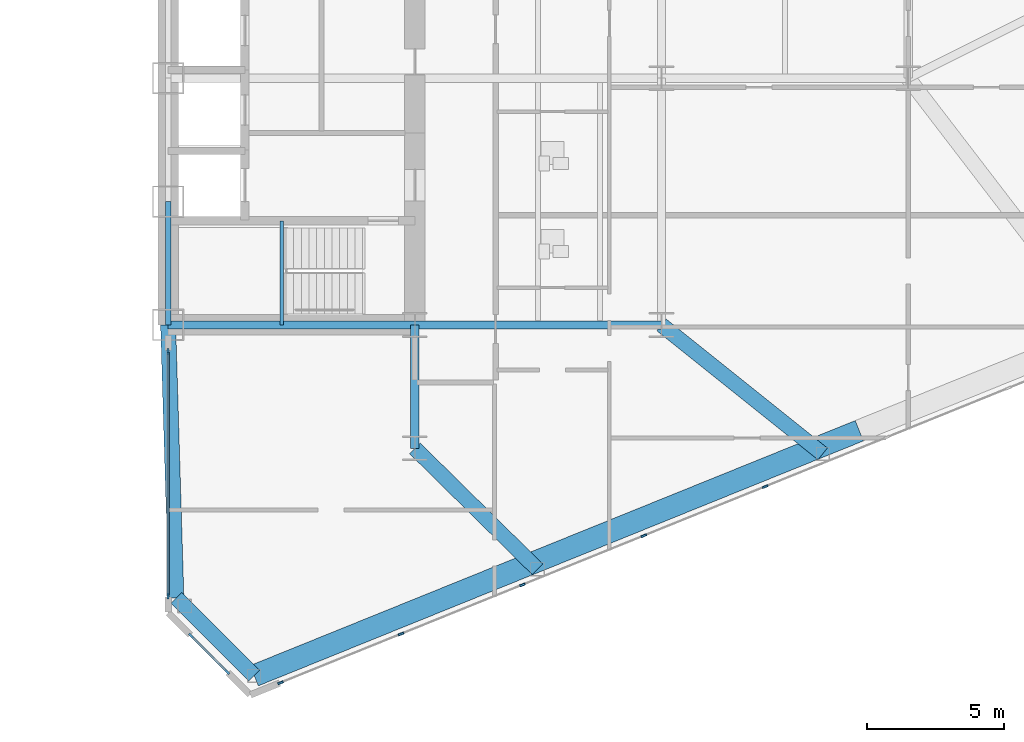
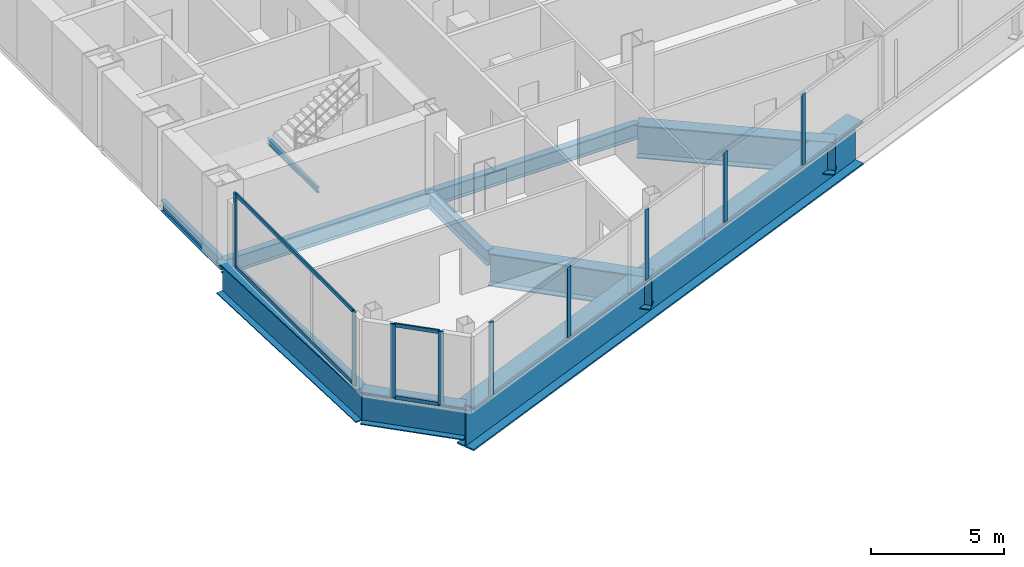
# One storey, part 10 of 26: 13 members, 10 beams, 3 elements without a shape of their own.
"""IFC4 building model written with IfcOpenShell, lengths in metres."""

from ifc_helpers import new_model, si_unit, direction, frame, origin, origin_2d, place, context, subcontext, project, spatial, rectangle, i_section, extrude, source, transform, mapped, material, layer, layer_set, material_profile, profile_set, type_object, type_shapes, element, aggregate, save


model = new_model("IFC4")

# Units and contexts
model_context = context("Model", 3, precision=1e-05, world=origin(), true_north=direction((0.0, 1.0)))
body_context = subcontext(model_context, "Body", "Model", "MODEL_VIEW")
ifc_project = project(units=[si_unit("LENGTHUNIT", "METRE"), si_unit("AREAUNIT", "SQUARE_METRE"), si_unit("VOLUMEUNIT", "CUBIC_METRE"), si_unit("PLANEANGLEUNIT", "RADIAN"), si_unit("MASSUNIT", "GRAM", prefix="KILO")], contexts=[model_context])

# Site, building, storey
site_placement = place(None, origin())
site = spatial("IfcSite", under=ifc_project, at=site_placement, CompositionType="ELEMENT")
building_placement = place(site_placement, origin())
building = spatial("IfcBuilding", under=site, at=building_placement, Name="Seokmaru Belvedere", CompositionType="ELEMENT")
storey_placement = place(building_placement, frame((0.0, 0.0, 18.89990234375)))
storey = spatial("IfcBuildingStorey", under=building, at=storey_placement, Name="L04", CompositionType="ELEMENT", Elevation=18.89990234375)

# Beams
ifc_material_1 = material(Name="Steel SM355 (355 MPa)", Category="steel")
ifc_material_profile_1 = material_profile(ifc_material_1, i_section(OverallWidth=0.199951171875, OverallDepth=0.5, WebThickness=0.010009765625, FlangeThickness=0.01611328125, at=origin_2d()), Name="H-500x200x10x16")
ifc_profile_set_1 = profile_set([ifc_material_profile_1], Name="Steel SM355 (355 MPa)")
beam_type_1 = type_object("IfcBeamType", Name="Perimeter Spandrel Beam H-500", PredefinedType="SPANDREL", material=ifc_profile_set_1)
shared_shape_1 = source(origin(), body_context, "Body", "SweptSolid", [
    extrude(i_section(OverallWidth=0.199951171875, OverallDepth=0.5, WebThickness=0.010009765625, FlangeThickness=0.01611328125, at=origin_2d()), origin(), (0.0, 0.0, 1.0), 4.5),
])
type_shapes(beam_type_1, [shared_shape_1])
beam_1_placement = place(storey_placement, frame((27.5, -13.5, -0.469970703125), z_axis=(0.0, 1.0, 0.0), x_axis=(-1.0, 0.0, 0.0)))
element("IfcBeam", 1, at=beam_1_placement, inside=storey, type_object=beam_type_1, Name="L04 E Portal Spine Spandrel 1", PredefinedType="SPANDREL", context=body_context, shape_type="MappedRepresentation", body=[
    mapped(shared_shape_1, transform((0.0, 0.0, 0.0), scale=1.0)),
])
ifc_material_profile_2 = material_profile(ifc_material_1, i_section(OverallWidth=0.300048828125, OverallDepth=0.699951171875, WebThickness=0.012939453125, FlangeThickness=0.02392578125, at=origin_2d()), Name="H-700x300x13x24")
ifc_profile_set_2 = profile_set([ifc_material_profile_2], Name="Steel SM355 (355 MPa)")
beam_type_2 = type_object("IfcBeamType", Name="Primary Floor Girder H-700", PredefinedType="BEAM", material=ifc_profile_set_2)
shared_shape_2 = source(origin(), body_context, "Body", "SweptSolid", [
    extrude(i_section(OverallWidth=0.300048828125, OverallDepth=0.699951171875, WebThickness=0.012939453125, FlangeThickness=0.02392578125, at=origin_2d()), origin(), (0.0, 0.0, 1.0), 4.5),
])
beam_2_placement = place(storey_placement, frame((36.5, -18.0, -0.56982421875), z_axis=(0.0, 1.0, 0.0), x_axis=(-1.0, 0.0, 0.0)))
element("IfcBeam", 2, at=beam_2_placement, inside=storey, type_object=beam_type_2, Name="L04 E Core Shoulder Girder S", PredefinedType="BEAM", context=body_context, shape_type="MappedRepresentation", body=[
    mapped(shared_shape_2, transform((0.0, 0.0, 0.0), scale=1.0)),
])
shared_shape_3 = source(origin(), body_context, "Body", "SweptSolid", [
    extrude(i_section(OverallWidth=0.300048828125, OverallDepth=0.699951171875, WebThickness=0.012939453125, FlangeThickness=0.02392578125, at=origin_2d()), origin(), (0.0, 0.0, 1.0), 9.0),
])
type_shapes(beam_type_2, [shared_shape_2, shared_shape_3])
for number, where, z_axis, x_axis, name in (
    (3, (27.5, -13.5, -0.56982421875), (1.0, 0.0, 0.0), (0.0, 1.0, 0.0), "L04 E Core Tie Girder 1"),
    (4, (36.5, -13.5, -0.56982421875), (1.0, 0.0, 0.0), (0.0, 1.0, 0.0), "L04 E Wing Primary Girder 1"),
):
    element("IfcBeam", number, at=place(storey_placement, frame(where, z_axis=z_axis, x_axis=x_axis)), inside=storey, type_object=beam_type_2, Name=name, PredefinedType="BEAM", context=body_context, shape_type="MappedRepresentation", body=[
        mapped(shared_shape_3, transform((0.0, 0.0, 0.0), scale=1.0)),
    ])
ifc_material_2 = material(Name="Steel HSA650 (650 MPa)", Category="steel")
ifc_material_profile_3 = material_profile(ifc_material_2, i_section(OverallWidth=0.800048828125, OverallDepth=2.0, WebThickness=0.0400390625, FlangeThickness=0.070068359375, at=origin_2d()), Name="BH-2000x800x40x70")
ifc_profile_set_3 = profile_set([ifc_material_profile_3], Name="Steel HSA650 (650 MPa)")
beam_type_3 = type_object("IfcBeamType", Name="Sky-Gate Transfer Truss Chord Girder BH-2000", PredefinedType="BEAM", material=ifc_profile_set_3)
shared_shape_4 = source(origin(), body_context, "Body", "SweptSolid", [
    extrude(i_section(OverallWidth=0.800048828125, OverallDepth=2.0, WebThickness=0.0400390625, FlangeThickness=0.070068359375, at=origin_2d()), origin(), (0.0, 0.0, 1.0), 23.811767578125),
])
type_shapes(beam_type_3, [shared_shape_4])
beam_3_placement = place(storey_placement, frame((30.643310546875, -26.294677734375, -1.219970703125), z_axis=(0.92694579442, 0.375195274766, 0.0), x_axis=(-0.375195274766, 0.92694579442, 0.0)))
element("IfcBeam", 5, at=beam_3_placement, inside=storey, type_object=beam_type_3, Name="L04 E Podium Flank Transfer Girder S-A", PredefinedType="BEAM", context=body_context, shape_type="MappedRepresentation", body=[
    mapped(shared_shape_4, transform((0.0, 0.0, 0.0), scale=1.0)),
])
ifc_material_profile_4 = material_profile(ifc_material_2, i_section(OverallWidth=0.550048828125, OverallDepth=1.5, WebThickness=0.028076171875, FlangeThickness=0.044921875, at=origin_2d()), Name="BH-1500x550x28x45")
ifc_profile_set_4 = profile_set([ifc_material_profile_4], Name="Steel HSA650 (650 MPa)")
beam_type_4 = type_object("IfcBeamType", Name="Setback Transfer Girder BH-1500", PredefinedType="BEAM", material=ifc_profile_set_4)
shared_shape_5 = source(origin(), body_context, "Body", "SweptSolid", [
    extrude(i_section(OverallWidth=0.550048828125, OverallDepth=1.5, WebThickness=0.028076171875, FlangeThickness=0.044921875, at=origin_2d()), origin(), (0.0, 0.0, 1.0), 4.02099609375),
])
beam_4_placement = place(storey_placement, frame((30.643310546875, -26.294677734375, -0.969970703125), z_axis=(-0.707106781187, 0.707106781187, 0.0), x_axis=(-0.707106781187, -0.707106781187, 0.0)))
element("IfcBeam", 6, at=beam_4_placement, inside=storey, type_object=beam_type_4, Name="L04 E Podium Shoulder Transfer Girder S", PredefinedType="BEAM", context=body_context, shape_type="MappedRepresentation", body=[
    mapped(shared_shape_5, transform((0.0, 0.0, 0.0), scale=1.0)),
])
shared_shape_6 = source(origin(), body_context, "Body", "SweptSolid", [
    extrude(i_section(OverallWidth=0.550048828125, OverallDepth=1.5, WebThickness=0.028076171875, FlangeThickness=0.044921875, at=origin_2d()), origin(), (0.0, 0.0, 1.0), 9.9560546875),
])
beam_5_placement = place(storey_placement, frame((27.800048828125, -23.451416015625, -0.969970703125), z_axis=(-0.030137674137, 0.999545757131, 0.0), x_axis=(-0.999545757131, -0.030137674137, 0.0)))
element("IfcBeam", 7, at=beam_5_placement, inside=storey, type_object=beam_type_4, Name="L04 E Podium Spine Transfer Tie S", PredefinedType="BEAM", context=body_context, shape_type="MappedRepresentation", body=[
    mapped(shared_shape_6, transform((0.0, 0.0, 0.0), scale=1.0)),
])
shared_shape_7 = source(origin(), body_context, "Body", "SweptSolid", [
    extrude(i_section(OverallWidth=0.550048828125, OverallDepth=1.5, WebThickness=0.028076171875, FlangeThickness=0.044921875, at=origin_2d()), origin(), (0.0, 0.0, 1.0), 6.287353515625),
])
beam_6_placement = place(storey_placement, frame((40.977294921875, -22.4140625, -0.969970703125), z_axis=(-0.712117485263, 0.702060315915, 0.0), x_axis=(-0.702060315915, -0.712117485263, 0.0)))
element("IfcBeam", 8, at=beam_6_placement, inside=storey, type_object=beam_type_4, Name="L04 E Flank Radial Floor Girder S-1", PredefinedType="BEAM", context=body_context, shape_type="MappedRepresentation", body=[
    mapped(shared_shape_7, transform((0.0, 0.0, 0.0), scale=1.0)),
])
shared_shape_8 = source(origin(), body_context, "Body", "SweptSolid", [
    extrude(i_section(OverallWidth=0.550048828125, OverallDepth=1.5, WebThickness=0.028076171875, FlangeThickness=0.044921875, at=origin_2d()), origin(), (0.0, 0.0, 1.0), 7.52880859375),
])
type_shapes(beam_type_4, [shared_shape_5, shared_shape_6, shared_shape_7, shared_shape_8])
beam_7_placement = place(storey_placement, frame((51.378173828125, -18.2041015625, -0.969970703125), z_axis=(-0.780767560736, 0.624821587418, 0.0), x_axis=(-0.624821587418, -0.780767560736, 0.0)))
element("IfcBeam", 9, at=beam_7_placement, inside=storey, type_object=beam_type_4, Name="L04 E Flank Radial Floor Girder S-2", PredefinedType="BEAM", context=body_context, shape_type="MappedRepresentation", body=[
    mapped(shared_shape_8, transform((0.0, 0.0, 0.0), scale=1.0)),
])

# Curtain wall, member
ifc_material_3 = material(Name="Bronze Triple Insulating Glass", Category="glass")
ifc_layer = layer(ifc_material_3, 0.2099609375)
ifc_layer_set = layer_set([ifc_layer], Name="Bronze Triple Insulating Glass")
curtain_wall_type = type_object("IfcCurtainWallType", Name="Low-Rise Faceted Crystal Curtain Wall System CW-2", PredefinedType="NOTDEFINED", material=ifc_layer_set)
curtain_wall_1_placement = place(storey_placement, origin())
curtain_wall_1 = element("IfcCurtainWall", 10, at=curtain_wall_1_placement, inside=storey, type_object=curtain_wall_type, Name="L04 Curtain Wall EF1", PredefinedType="NOTDEFINED")
ifc_material_4 = material(Name="Anodised Bronze Aluminium", Category="aluminium")
ifc_material_profile_5 = material_profile(ifc_material_4, rectangle(XDim=0.074951171875, YDim=0.2099609375, at=origin_2d()), Name="CW-M-75x210")
ifc_profile_set_5 = profile_set([ifc_material_profile_5], Name="Anodised Bronze Aluminium")
member_type_1 = type_object("IfcMemberType", Name="Bronze Unitised Mullion 75x210", PredefinedType="MULLION", material=ifc_profile_set_5)
shared_shape_9 = source(origin(), body_context, "Body", "SweptSolid", [
    extrude(rectangle(XDim=0.074951171875, YDim=0.2099609375, at=origin_2d()), origin(), (0.0, 0.0, 1.0), 3.380126953125),
])
member_1_placement = place(storey_placement, frame((31.600830078125, -26.554443359375, 0.0), z_axis=(0.0, 0.0, 1.0), x_axis=(-0.375192321888, 0.926946989637, 0.0)))
member_1 = element("IfcMember", 11, at=member_1_placement, type_object=member_type_1, Name="CW:L04:EF1 Mullion 1", PredefinedType="MULLION", context=body_context, shape_type="MappedRepresentation", body=[
    mapped(shared_shape_9, transform((0.0, 0.0, 0.0), scale=1.0)),
])

# Curtain wall, members
curtain_wall_2_placement = place(storey_placement, origin())
curtain_wall_2 = element("IfcCurtainWall", 12, at=curtain_wall_2_placement, inside=storey, type_object=curtain_wall_type, Name="L04 Curtain Wall ESP_1", PredefinedType="NOTDEFINED")
member_2_placement = place(storey_placement, frame((27.5, -14.467529296875, 0.0), z_axis=(0.0, 0.0, 1.0), x_axis=(1.0, 0.0, 0.0)))
member_2 = element("IfcMember", 13, at=member_2_placement, type_object=member_type_1, Name="CW:L04:ESP_1 Mullion 1", PredefinedType="MULLION", context=body_context, shape_type="MappedRepresentation", body=[
    mapped(shared_shape_9, transform((0.0, 0.0, 0.0), scale=1.0)),
])
member_3_placement = place(storey_placement, frame((27.5, -23.392578125, 0.0), z_axis=(0.0, 0.0, 1.0), x_axis=(1.0, 0.0, 0.0)))
member_3 = element("IfcMember", 14, at=member_3_placement, type_object=member_type_1, Name="CW:L04:ESP_1 Mullion 2", PredefinedType="MULLION", context=body_context, shape_type="MappedRepresentation", body=[
    mapped(shared_shape_9, transform((0.0, 0.0, 0.0), scale=1.0)),
])

curtain_wall_3_placement = place(storey_placement, origin())
curtain_wall_3 = element("IfcCurtainWall", 15, at=curtain_wall_3_placement, inside=storey, type_object=curtain_wall_type, Name="L04 Curtain Wall EF6", PredefinedType="NOTDEFINED")
member_4_placement = place(storey_placement, frame((28.339599609375, -24.839599609375, 0.0), z_axis=(0.0, 0.0, 1.0), x_axis=(0.707106781187, 0.707106781187, 0.0)))
member_4 = element("IfcMember", 16, at=member_4_placement, type_object=member_type_1, Name="CW:L04:EF6 Mullion 1", PredefinedType="MULLION", context=body_context, shape_type="MappedRepresentation", body=[
    mapped(shared_shape_9, transform((0.0, 0.0, 0.0), scale=1.0)),
])
member_5_placement = place(storey_placement, frame((29.660400390625, -26.160400390625, 0.0), z_axis=(0.0, 0.0, 1.0), x_axis=(0.707106781187, 0.707106781187, 0.0)))
member_5 = element("IfcMember", 17, at=member_5_placement, type_object=member_type_1, Name="CW:L04:EF6 Mullion 2", PredefinedType="MULLION", context=body_context, shape_type="MappedRepresentation", body=[
    mapped(shared_shape_9, transform((0.0, 0.0, 0.0), scale=1.0)),
])

# Member
ifc_material_profile_6 = material_profile(ifc_material_4, rectangle(XDim=0.070068359375, YDim=0.1650390625, at=origin_2d()), Name="CW-T-70x165")
ifc_profile_set_6 = profile_set([ifc_material_profile_6], Name="Anodised Bronze Aluminium")
member_type_2 = type_object("IfcMemberType", Name="Bronze Unitised Transom 70x165", PredefinedType="USERDEFINED", material=ifc_profile_set_6)
shared_shape_10 = source(origin(), body_context, "Body", "SweptSolid", [
    extrude(rectangle(XDim=0.070068359375, YDim=0.1650390625, at=origin_2d()), origin(), (0.0, 0.0, 1.0), 8.85009765625),
])
member_6_placement = place(storey_placement, frame((27.5, -14.5048828125, 0.03515625), z_axis=(0.0, -1.0, 0.0), x_axis=(1.0, 0.0, 0.0)))
member_6 = element("IfcMember", 18, at=member_6_placement, type_object=member_type_2, Name="CW:L04:ESP_1 Continuous Transom 1", ObjectType="TRANSOM", PredefinedType="USERDEFINED", context=body_context, shape_type="MappedRepresentation", body=[
    mapped(shared_shape_10, transform((0.0, 0.0, 0.0), scale=1.0)),
])

member_7_placement = place(storey_placement, frame((27.5, -14.5048828125, 3.34521484375), z_axis=(0.0, -1.0, 0.0), x_axis=(1.0, 0.0, 0.0)))
member_7 = element("IfcMember", 19, at=member_7_placement, type_object=member_type_2, Name="CW:L04:ESP_1 Continuous Transom 2", ObjectType="TRANSOM", PredefinedType="USERDEFINED", context=body_context, shape_type="MappedRepresentation", body=[
    mapped(shared_shape_10, transform((0.0, 0.0, 0.0), scale=1.0)),
])

aggregate(curtain_wall_2, [member_2, member_3, member_6, member_7])

shared_shape_11 = source(origin(), body_context, "Body", "SweptSolid", [
    extrude(rectangle(XDim=0.070068359375, YDim=0.1650390625, at=origin_2d()), origin(), (0.0, 0.0, 1.0), 1.792724609375),
])
type_shapes(member_type_2, [shared_shape_10, shared_shape_11])
member_8_placement = place(storey_placement, frame((28.3662109375, -24.8662109375, 0.03515625), z_axis=(0.707106781187, -0.707106781187, 0.0), x_axis=(0.707106781187, 0.707106781187, 0.0)))
member_8 = element("IfcMember", 20, at=member_8_placement, type_object=member_type_2, Name="CW:L04:EF6 Continuous Transom 1", ObjectType="TRANSOM", PredefinedType="USERDEFINED", context=body_context, shape_type="MappedRepresentation", body=[
    mapped(shared_shape_11, transform((0.0, 0.0, 0.0), scale=1.0)),
])

member_9_placement = place(storey_placement, frame((28.3662109375, -24.8662109375, 3.34521484375), z_axis=(0.707106781187, -0.707106781187, 0.0), x_axis=(0.707106781187, 0.707106781187, 0.0)))
member_9 = element("IfcMember", 21, at=member_9_placement, type_object=member_type_2, Name="CW:L04:EF6 Continuous Transom 2", ObjectType="TRANSOM", PredefinedType="USERDEFINED", context=body_context, shape_type="MappedRepresentation", body=[
    mapped(shared_shape_11, transform((0.0, 0.0, 0.0), scale=1.0)),
])

aggregate(curtain_wall_3, [member_4, member_5, member_8, member_9])

shared_shape_12 = source(origin(), body_context, "Body", "SweptSolid", [
    extrude(rectangle(XDim=0.074951171875, YDim=0.2099609375, at=origin_2d()), origin(), (0.0, 0.0, 1.0), 3.239990234375),
])
type_shapes(member_type_1, [shared_shape_9, shared_shape_12])
member_10_placement = place(storey_placement, frame((35.995849609375, -24.775390625, 0.070068359375), z_axis=(0.0, 0.0, 1.0), x_axis=(-0.375192321888, 0.926946989637, 0.0)))
member_10 = element("IfcMember", 22, at=member_10_placement, type_object=member_type_1, Name="CW:L04:EF1 Mullion 2", PredefinedType="MULLION", context=body_context, shape_type="MappedRepresentation", body=[
    mapped(shared_shape_12, transform((0.0, 0.0, 0.0), scale=1.0)),
])

member_11_placement = place(storey_placement, frame((40.425537109375, -22.982421875, 0.070068359375), z_axis=(0.0, 0.0, 1.0), x_axis=(-0.375192321888, 0.926946989637, 0.0)))
member_11 = element("IfcMember", 23, at=member_11_placement, type_object=member_type_1, Name="CW:L04:EF1 Mullion 3", PredefinedType="MULLION", context=body_context, shape_type="MappedRepresentation", body=[
    mapped(shared_shape_12, transform((0.0, 0.0, 0.0), scale=1.0)),
])

member_12_placement = place(storey_placement, frame((44.855224609375, -21.189453125, 0.070068359375), z_axis=(0.0, 0.0, 1.0), x_axis=(-0.375192321888, 0.926946989637, 0.0)))
member_12 = element("IfcMember", 24, at=member_12_placement, type_object=member_type_1, Name="CW:L04:EF1 Mullion 4", PredefinedType="MULLION", context=body_context, shape_type="MappedRepresentation", body=[
    mapped(shared_shape_12, transform((0.0, 0.0, 0.0), scale=1.0)),
])

member_13_placement = place(storey_placement, frame((49.28515625, -19.396484375, 0.070068359375), z_axis=(0.0, 0.0, 1.0), x_axis=(-0.375192321888, 0.926946989637, 0.0)))
member_13 = element("IfcMember", 25, at=member_13_placement, type_object=member_type_1, Name="CW:L04:EF1 Mullion 5", PredefinedType="MULLION", context=body_context, shape_type="MappedRepresentation", body=[
    mapped(shared_shape_12, transform((0.0, 0.0, 0.0), scale=1.0)),
])

aggregate(curtain_wall_1, [member_1, member_10, member_11, member_12, member_13])

# Beam
ifc_material_profile_7 = material_profile(ifc_material_1, i_section(OverallWidth=0.125, OverallDepth=0.25, WebThickness=0.006103515625, FlangeThickness=0.009033203125, at=origin_2d()), Name="H-250x125x6x9")
ifc_profile_set_7 = profile_set([ifc_material_profile_7], Name="Steel SM355 (355 MPa)")
beam_type_5 = type_object("IfcBeamType", Name="Stair Mid-Landing Support Beam H-250", PredefinedType="JOIST", material=ifc_profile_set_7)
shared_shape_13 = source(origin(), body_context, "Body", "SweptSolid", [
    extrude(i_section(OverallWidth=0.125, OverallDepth=0.25, WebThickness=0.006103515625, FlangeThickness=0.009033203125, at=origin_2d()), origin(), (0.0, 0.0, 1.0), 3.800048828125),
])
type_shapes(beam_type_5, [shared_shape_13])
beam_8_placement = place(storey_placement, frame((31.64990234375, -13.5, 1.47509765625), z_axis=(0.0, 1.0, 0.0), x_axis=(-1.0, 0.0, 0.0)))
element("IfcBeam", 26, at=beam_8_placement, inside=storey, type_object=beam_type_5, Name="L04 Stair ST-E1 Mid-Landing Support Beam 1", PredefinedType="JOIST", context=body_context, shape_type="MappedRepresentation", body=[
    mapped(shared_shape_13, transform((0.0, 0.0, 0.0), scale=1.0)),
])

save(model, "model.ifc")
